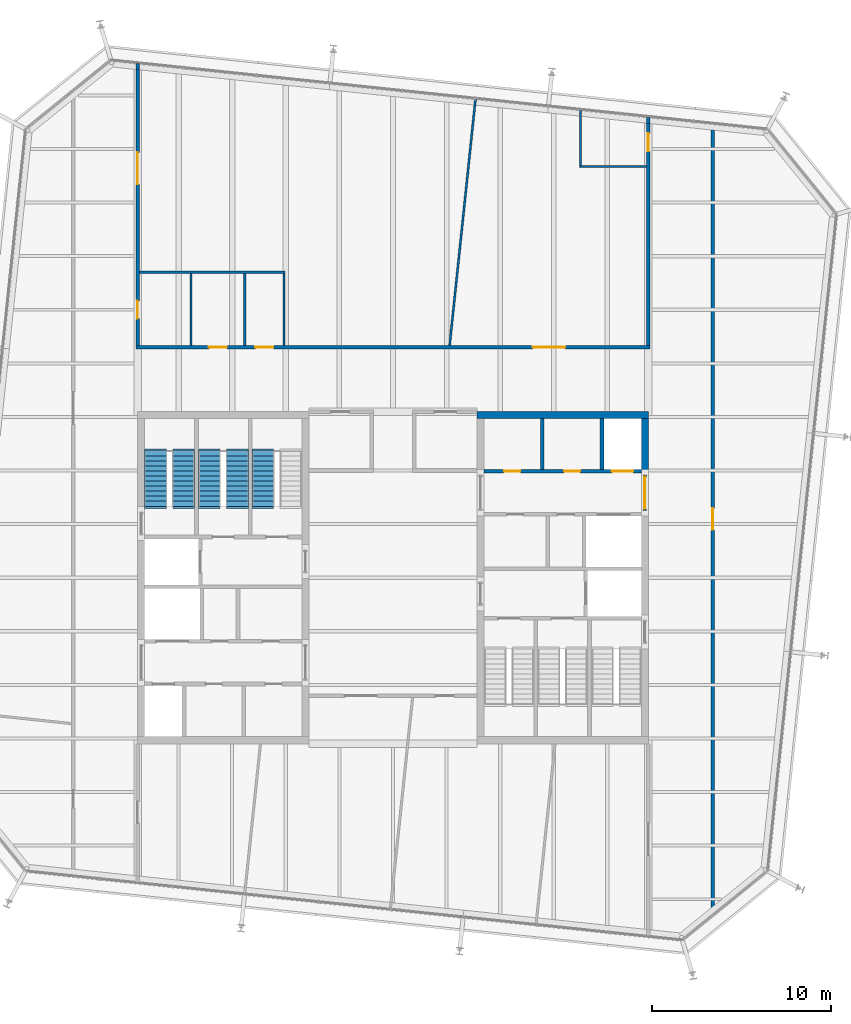
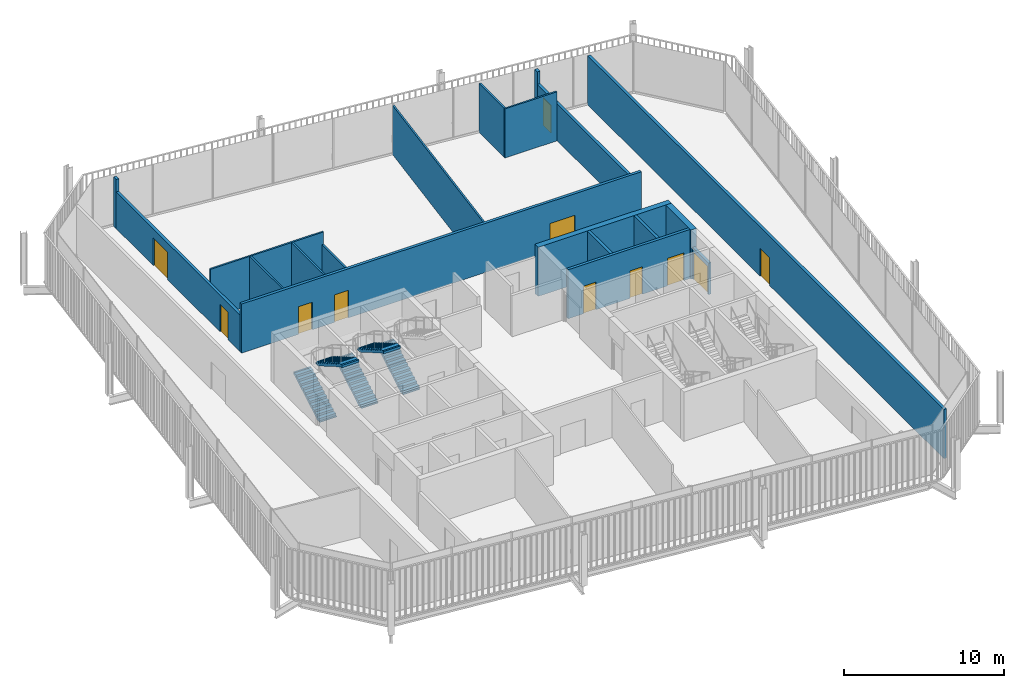
# One storey, part 18 of 20: 19 walls, 11 doors, 5 stair flights, 11 openings, 3 elements without a shape of their own.
"""IFC4 building model written with IfcOpenShell, lengths in metres."""

from ifc_helpers import new_model, si_unit, direction, frame, frame_2d, origin, place, context, subcontext, project, spatial, polyline, rectangle, outline, extrude, material, layer, layer_set, type_object, element, fill, aggregate, save


model = new_model("IFC4")

# Units and contexts
model_context = context("Model", 3, precision=1e-05, world=origin(), true_north=direction((0.0, 1.0)))
body_context = subcontext(model_context, "Body", "Model", "MODEL_VIEW")
ifc_project = project(units=[si_unit("LENGTHUNIT", "METRE"), si_unit("AREAUNIT", "SQUARE_METRE"), si_unit("VOLUMEUNIT", "CUBIC_METRE"), si_unit("PLANEANGLEUNIT", "RADIAN"), si_unit("MASSUNIT", "GRAM", prefix="KILO")], contexts=[model_context])

# Site, building, storey
site_placement = place(None, origin())
site = spatial("IfcSite", under=ifc_project, at=site_placement, CompositionType="ELEMENT")
building_placement = place(site_placement, origin())
building = spatial("IfcBuilding", under=site, at=building_placement, Name="Millrace Tower", CompositionType="ELEMENT")
storey_placement = place(building_placement, frame((0.0, 0.0, 287.699951171875)))
storey = spatial("IfcBuildingStorey", under=building, at=storey_placement, Name="L66", CompositionType="ELEMENT", Elevation=287.699951171875)

# Walls
ifc_material_1 = material(Name="Concrete C60", Category="concrete")
ifc_layer_1 = layer(ifc_material_1, 0.39990234375)
ifc_layer_set_1 = layer_set([ifc_layer_1], Name="Concrete C60")
wall_type_1 = type_object("IfcWallType", Name="Core wall 400 Concrete C60", PredefinedType="SHEAR", material=ifc_layer_set_1)
wall_1_placement = place(storey_placement, frame((14.300048828125, 9.10009765625, 0.0), z_axis=(0.0, 0.0, 1.0), x_axis=(-1.0, 0.0, 0.0)))
element("IfcWall", 1, at=wall_1_placement, inside=storey, type_object=wall_type_1, Name="Core wall E L66", PredefinedType="SHEAR", context=body_context, shape_type="SweptSolid", body=[
    extrude(rectangle(XDim=9.60009765625, YDim=0.39990234375, at=frame_2d((4.800048828125, 0.0))), origin(), (0.0, 0.0, 1.0), 3.739990234375),
])
wall_2_placement = place(storey_placement, frame((14.10009765625, 8.89990234375, 0.0), z_axis=(0.0, 0.0, 1.0), x_axis=(0.0, -1.0, 0.0)))
element("IfcWall", 2, at=wall_2_placement, inside=storey, type_object=wall_type_1, Name="Core wall E L66", PredefinedType="SHEAR", context=body_context, shape_type="SweptSolid", body=[
    extrude(rectangle(XDim=3.14990234375, YDim=0.39990234375, at=frame_2d((1.574951171875, 0.0))), origin(), (0.0, 0.0, 1.0), 3.739990234375),
])

# Wall, openings, doors
ifc_material_2 = material(Name="Masonry partition, fire-rated", Category="masonry")
ifc_layer_2 = layer(ifc_material_2, 0.199951171875)
ifc_layer_set_2 = layer_set([ifc_layer_2], Name="Masonry partition, fire-rated")
wall_type_2 = type_object("IfcWallType", Name="Corridor wall 200", PredefinedType="PARTITIONING", material=ifc_layer_set_2)
wall_3_placement = place(storey_placement, frame((-14.39990234375, 12.89990234375, 0.0), z_axis=(0.0, 0.0, 1.0), x_axis=(1.0, 0.0, 0.0)))
wall_3 = element("IfcWall", 3, at=wall_3_placement, inside=storey, type_object=wall_type_2, Name="Corridor wall L66", PredefinedType="PARTITIONING", context=body_context, shape_type="SweptSolid", body=[
    extrude(rectangle(XDim=28.7998046875, YDim=0.199951171875, at=frame_2d((14.39990234375, 0.0))), origin(), (0.0, 0.0, 1.0), 3.739990234375),
])
opening_1_placement = place(wall_3_placement, frame((22.22998046875, 0.0, 0.0)))
opening_1 = element("IfcOpeningElement", 4, at=opening_1_placement, cuts=wall_3, Name="Opening 66-P006", PredefinedType="OPENING", context=body_context, shape_type="SweptSolid", body=[
    extrude(rectangle(XDim=1.800048828125, YDim=2.10009765625, at=frame_2d((0.89990234375, 1.050048828125))), frame((0.0, 0.10986328125, 0.0), z_axis=(0.0, -1.0, 0.0), x_axis=(1.0, 0.0, 0.0)), (0.0, 0.0, 1.0), 0.219970703125),
])
opening_2_placement = place(wall_3_placement, frame((4.10009765625, 0.0, 0.0)))
opening_2 = element("IfcOpeningElement", 5, at=opening_2_placement, cuts=wall_3, Name="Opening 66-P014", PredefinedType="OPENING", context=body_context, shape_type="SweptSolid", body=[
    extrude(rectangle(XDim=1.0, YDim=2.10009765625, at=frame_2d((0.5, 1.050048828125))), frame((0.0, 0.10986328125, 0.0), z_axis=(0.0, -1.0, 0.0), x_axis=(1.0, 0.0, 0.0)), (0.0, 0.0, 1.0), 0.219970703125),
])
opening_3_placement = place(wall_3_placement, frame((6.699951171875, 0.0, 0.0)))
opening_3 = element("IfcOpeningElement", 6, at=opening_3_placement, cuts=wall_3, Name="Opening 66-P015", PredefinedType="OPENING", context=body_context, shape_type="SweptSolid", body=[
    extrude(rectangle(XDim=1.0, YDim=2.10009765625, at=frame_2d((0.5, 1.050048828125))), frame((0.0, 0.10986328125, 0.0), z_axis=(0.0, -1.0, 0.0), x_axis=(1.0, 0.0, 0.0)), (0.0, 0.0, 1.0), 0.219970703125),
])
ifc_material_3 = material(Name="Steel door set, fire-rated", Category="steel")
door_type_1 = type_object("IfcDoorType", Name="Corridor door 1000 x 2100", OperationType="SINGLE_SWING_LEFT", PredefinedType="DOOR", material=ifc_material_3)
door_1_placement = place(opening_2_placement, origin())
door_1 = element("IfcDoor", 7, at=door_1_placement, inside=storey, type_object=door_type_1, Name="Door 66-P014", OperationType="SINGLE_SWING_LEFT", OverallHeight=2.10009765625, OverallWidth=1.0, PredefinedType="DOOR", context=body_context, shape_type="SweptSolid", body=[
    extrude(rectangle(XDim=1.0, YDim=2.10009765625, at=frame_2d((0.5, 1.050048828125))), frame((0.0, 0.02490234375, 0.0), z_axis=(0.0, -1.0, 0.0), x_axis=(1.0, 0.0, 0.0)), (0.0, 0.0, 1.0), 0.050048828125),
])
fill(opening_2, door_1)
door_2_placement = place(opening_3_placement, origin())
door_2 = element("IfcDoor", 8, at=door_2_placement, inside=storey, type_object=door_type_1, Name="Door 66-P015", OperationType="SINGLE_SWING_LEFT", OverallHeight=2.10009765625, OverallWidth=1.0, PredefinedType="DOOR", context=body_context, shape_type="SweptSolid", body=[
    extrude(rectangle(XDim=1.0, YDim=2.10009765625, at=frame_2d((0.5, 1.050048828125))), frame((0.0, 0.02490234375, 0.0), z_axis=(0.0, -1.0, 0.0), x_axis=(1.0, 0.0, 0.0)), (0.0, 0.0, 1.0), 0.050048828125),
])
fill(opening_3, door_2)
ifc_material_4 = material(Name="Steel door set, fire-rated", Category="steel")
door_type_2 = type_object("IfcDoorType", Name="Corridor door 1800 x 2100", OperationType="DOUBLE_DOOR_SINGLE_SWING", PredefinedType="DOOR", material=ifc_material_4)
door_3_placement = place(opening_1_placement, origin())
door_3 = element("IfcDoor", 9, at=door_3_placement, inside=storey, type_object=door_type_2, Name="Door 66-P006", OperationType="DOUBLE_DOOR_SINGLE_SWING", OverallHeight=2.10009765625, OverallWidth=1.800048828125, PredefinedType="DOOR", context=body_context, shape_type="SweptSolid", body=[
    extrude(rectangle(XDim=1.800048828125, YDim=2.10009765625, at=frame_2d((0.89990234375, 1.050048828125))), frame((0.0, 0.02490234375, 0.0), z_axis=(0.0, -1.0, 0.0), x_axis=(1.0, 0.0, 0.0)), (0.0, 0.0, 1.0), 0.050048828125),
])
fill(opening_1, door_3)

# Wall, opening, door
wall_4_placement = place(storey_placement, frame((17.89990234375, -19.042236328125, 0.0), z_axis=(0.0, 0.0, 1.0), x_axis=(0.0, 1.0, 0.0)))
wall_4 = element("IfcWall", 10, at=wall_4_placement, inside=storey, type_object=wall_type_2, Name="Corridor wall L66", PredefinedType="PARTITIONING", context=body_context, shape_type="SweptSolid", body=[
    extrude(rectangle(XDim=44.437255859375, YDim=0.199951171875, at=frame_2d((22.21875, 0.0))), origin(), (0.0, 0.0, 1.0), 3.739990234375),
])
opening_4_placement = place(wall_4_placement, frame((21.725830078125, 0.0, 0.0)))
opening_4 = element("IfcOpeningElement", 11, at=opening_4_placement, cuts=wall_4, Name="Opening 66-P008", PredefinedType="OPENING", context=body_context, shape_type="SweptSolid", body=[
    extrude(rectangle(XDim=1.199951171875, YDim=2.10009765625, at=frame_2d((0.60009765625, 1.050048828125))), frame((0.0, 0.10986328125, 0.0), z_axis=(0.0, -1.0, 0.0), x_axis=(1.0, 0.0, 0.0)), (0.0, 0.0, 1.0), 0.219970703125),
])
ifc_material_5 = material(Name="Steel door set, fire-rated", Category="steel")
door_type_3 = type_object("IfcDoorType", Name="Corridor door 1200 x 2100", OperationType="SINGLE_SWING_LEFT", PredefinedType="DOOR", material=ifc_material_5)
door_4_placement = place(opening_4_placement, origin())
door_4 = element("IfcDoor", 12, at=door_4_placement, inside=storey, type_object=door_type_3, Name="Door 66-P008", OperationType="SINGLE_SWING_RIGHT", OverallHeight=2.10009765625, OverallWidth=1.199951171875, PredefinedType="DOOR", context=body_context, shape_type="SweptSolid", body=[
    extrude(rectangle(XDim=1.199951171875, YDim=2.10009765625, at=frame_2d((0.60009765625, 1.050048828125))), frame((0.0, 0.02490234375, 0.0), z_axis=(0.0, -1.0, 0.0), x_axis=(1.0, 0.0, 0.0)), (0.0, 0.0, 1.0), 0.050048828125),
])
fill(opening_4, door_4)

wall_5_placement = place(storey_placement, frame((14.300048828125, 13.0, 0.0), z_axis=(0.0, 0.0, 1.0), x_axis=(0.0, 1.0, 0.0)))
wall_5 = element("IfcWall", 13, at=wall_5_placement, inside=storey, type_object=wall_type_2, Name="Corridor wall L66", PredefinedType="PARTITIONING", context=body_context, shape_type="SweptSolid", body=[
    extrude(rectangle(XDim=12.434326171875, YDim=0.199951171875, at=frame_2d((6.21728515625, 0.0))), origin(), (0.0, 0.0, 1.0), 2.792724609375),
])
opening_5_placement = place(wall_5_placement, frame((10.873046875, 0.0, 0.0)))
opening_5 = element("IfcOpeningElement", 14, at=opening_5_placement, cuts=wall_5, Name="Opening 66-P007", PredefinedType="OPENING", context=body_context, shape_type="SweptSolid", body=[
    extrude(rectangle(XDim=1.0, YDim=2.10009765625, at=frame_2d((0.5, 1.050048828125))), frame((0.0, 0.10986328125, 0.0), z_axis=(0.0, -1.0, 0.0), x_axis=(1.0, 0.0, 0.0)), (0.0, 0.0, 1.0), 0.219970703125),
])
door_5_placement = place(opening_5_placement, origin())
door_5 = element("IfcDoor", 15, at=door_5_placement, inside=storey, type_object=door_type_1, Name="Door 66-P007", OperationType="SINGLE_SWING_RIGHT", OverallHeight=2.10009765625, OverallWidth=1.0, PredefinedType="DOOR", context=body_context, shape_type="SweptSolid", body=[
    extrude(rectangle(XDim=1.0, YDim=2.10009765625, at=frame_2d((0.5, 1.050048828125))), frame((0.0, 0.02490234375, 0.0), z_axis=(0.0, -1.0, 0.0), x_axis=(1.0, 0.0, 0.0)), (0.0, 0.0, 1.0), 0.050048828125),
])
fill(opening_5, door_5)

# Wall
wall_6_placement = place(storey_placement, frame((14.300048828125, 25.434326171875, 0.0), z_axis=(0.0, 0.0, 1.0), x_axis=(0.0, 1.0, 0.0)))
element("IfcWall", 16, at=wall_6_placement, inside=storey, type_object=wall_type_2, Name="Corridor wall L66", PredefinedType="PARTITIONING", context=body_context, shape_type="SweptSolid", body=[
    extrude(rectangle(XDim=0.339111328125, YDim=0.199951171875, at=frame_2d((0.16943359375, 0.0))), origin(), (0.0, 0.0, 1.0), 3.739990234375),
])

# Wall, openings, doors
wall_7_placement = place(storey_placement, frame((-14.300048828125, 13.0, 0.0), z_axis=(0.0, 0.0, 1.0), x_axis=(0.0, 1.0, 0.0)))
wall_7 = element("IfcWall", 17, at=wall_7_placement, inside=storey, type_object=wall_type_2, Name="Corridor wall L66", PredefinedType="PARTITIONING", context=body_context, shape_type="SweptSolid", body=[
    extrude(rectangle(XDim=15.440185546875, YDim=0.199951171875, at=frame_2d((7.72021484375, 0.0))), origin(), (0.0, 0.0, 1.0), 2.792724609375),
])
opening_6_placement = place(wall_7_placement, frame((9.014404296875, 0.0, 0.0)))
opening_6 = element("IfcOpeningElement", 18, at=opening_6_placement, cuts=wall_7, Name="Opening 66-P005", PredefinedType="OPENING", context=body_context, shape_type="SweptSolid", body=[
    extrude(rectangle(XDim=1.800048828125, YDim=2.10009765625, at=frame_2d((0.89990234375, 1.050048828125))), frame((0.0, 0.10986328125, 0.0), z_axis=(0.0, -1.0, 0.0), x_axis=(1.0, 0.0, 0.0)), (0.0, 0.0, 1.0), 0.219970703125),
])
opening_7_placement = place(wall_7_placement, frame((1.5, 0.0, 0.0)))
opening_7 = element("IfcOpeningElement", 19, at=opening_7_placement, cuts=wall_7, Name="Opening 66-P013", PredefinedType="OPENING", context=body_context, shape_type="SweptSolid", body=[
    extrude(rectangle(XDim=1.0, YDim=2.10009765625, at=frame_2d((0.5, 1.050048828125))), frame((0.0, 0.10986328125, 0.0), z_axis=(0.0, -1.0, 0.0), x_axis=(1.0, 0.0, 0.0)), (0.0, 0.0, 1.0), 0.219970703125),
])
door_6_placement = place(opening_7_placement, frame((1.0, 0.0, 0.0), z_axis=(0.0, 0.0, 1.0), x_axis=(-1.0, 0.0, 0.0)))
door_6 = element("IfcDoor", 20, at=door_6_placement, inside=storey, type_object=door_type_1, Name="Door 66-P013", OperationType="SINGLE_SWING_RIGHT", OverallHeight=2.10009765625, OverallWidth=1.0, PredefinedType="DOOR", context=body_context, shape_type="SweptSolid", body=[
    extrude(rectangle(XDim=1.0, YDim=2.10009765625, at=frame_2d((0.5, 1.050048828125))), frame((0.0, 0.02490234375, 0.0), z_axis=(0.0, -1.0, 0.0), x_axis=(1.0, 0.0, 0.0)), (0.0, 0.0, 1.0), 0.050048828125),
])
fill(opening_7, door_6)
door_7_placement = place(opening_6_placement, origin())
door_7 = element("IfcDoor", 21, at=door_7_placement, inside=storey, type_object=door_type_2, Name="Door 66-P005", OperationType="DOUBLE_DOOR_SINGLE_SWING", OverallHeight=2.10009765625, OverallWidth=1.800048828125, PredefinedType="DOOR", context=body_context, shape_type="SweptSolid", body=[
    extrude(rectangle(XDim=1.800048828125, YDim=2.10009765625, at=frame_2d((0.89990234375, 1.050048828125))), frame((0.0, 0.02490234375, 0.0), z_axis=(0.0, -1.0, 0.0), x_axis=(1.0, 0.0, 0.0)), (0.0, 0.0, 1.0), 0.050048828125),
])
fill(opening_6, door_7)

# Wall
wall_8_placement = place(storey_placement, frame((-14.300048828125, 28.440185546875, 0.0), z_axis=(0.0, 0.0, 1.0), x_axis=(0.0, 1.0, 0.0)))
element("IfcWall", 22, at=wall_8_placement, inside=storey, type_object=wall_type_2, Name="Corridor wall L66", PredefinedType="PARTITIONING", context=body_context, shape_type="SweptSolid", body=[
    extrude(rectangle(XDim=0.33935546875, YDim=0.199951171875, at=frame_2d((0.169677734375, 0.0))), origin(), (0.0, 0.0, 1.0), 3.739990234375),
])

# Wall, openings, doors
ifc_material_6 = material(Name="Masonry partition, fire-rated", Category="masonry")
ifc_layer_3 = layer(ifc_material_6, 0.199951171875)
ifc_layer_set_3 = layer_set([ifc_layer_3], Name="Masonry partition, fire-rated")
wall_type_3 = type_object("IfcWallType", Name="Lift shaft wall 200", PredefinedType="PARTITIONING", material=ifc_layer_set_3)
wall_9_placement = place(storey_placement, frame((13.89990234375, 5.949951171875, 0.0), z_axis=(0.0, 0.0, 1.0), x_axis=(-1.0, 0.0, 0.0)))
wall_9 = element("IfcWall", 23, at=wall_9_placement, inside=storey, type_object=wall_type_3, Name="Lift shaft wall E L66", PredefinedType="PARTITIONING", context=body_context, shape_type="SweptSolid", body=[
    extrude(rectangle(XDim=8.7998046875, YDim=0.199951171875, at=frame_2d((4.39990234375, 0.0))), origin(), (0.0, 0.0, 1.0), 3.739990234375),
])
opening_8_placement = place(wall_9_placement, frame((0.449951171875, 0.0, 0.0)))
opening_8 = element("IfcOpeningElement", 24, at=opening_8_placement, cuts=wall_9, Name="Opening 66-LD09", PredefinedType="OPENING", context=body_context, shape_type="SweptSolid", body=[
    extrude(rectangle(XDim=1.199951171875, YDim=2.10009765625, at=frame_2d((0.60009765625, 1.050048828125))), frame((0.0, 0.10986328125, 0.0), z_axis=(0.0, -1.0, 0.0), x_axis=(1.0, 0.0, 0.0)), (0.0, 0.0, 1.0), 0.219970703125),
])
opening_9_placement = place(wall_9_placement, frame((3.425048828125, 0.0, 0.0)))
opening_9 = element("IfcOpeningElement", 25, at=opening_9_placement, cuts=wall_9, Name="Opening 66-C015", PredefinedType="OPENING", context=body_context, shape_type="SweptSolid", body=[
    extrude(rectangle(XDim=0.89990234375, YDim=2.10009765625, at=frame_2d((0.449951171875, 1.050048828125))), frame((0.0, 0.10986328125, 0.0), z_axis=(0.0, -1.0, 0.0), x_axis=(1.0, 0.0, 0.0)), (0.0, 0.0, 1.0), 0.219970703125),
])
opening_10_placement = place(wall_9_placement, frame((6.77490234375, 0.0, 0.0)))
opening_10 = element("IfcOpeningElement", 26, at=opening_10_placement, cuts=wall_9, Name="Opening 66-C016", PredefinedType="OPENING", context=body_context, shape_type="SweptSolid", body=[
    extrude(rectangle(XDim=0.89990234375, YDim=2.10009765625, at=frame_2d((0.449951171875, 1.050048828125))), frame((0.0, 0.10986328125, 0.0), z_axis=(0.0, -1.0, 0.0), x_axis=(1.0, 0.0, 0.0)), (0.0, 0.0, 1.0), 0.219970703125),
])
ifc_material_7 = material(Name="Stainless steel, fire-rated", Category="steel")
door_type_4 = type_object("IfcDoorType", Name="Lift landing door 1200 x 2100", OperationType="DOUBLE_DOOR_SLIDING", PredefinedType="DOOR", material=ifc_material_7)
door_8_placement = place(opening_8_placement, origin())
door_8 = element("IfcDoor", 27, at=door_8_placement, inside=storey, type_object=door_type_4, Name="Lift landing door LF9 L66", OperationType="DOUBLE_DOOR_SLIDING", OverallHeight=2.10009765625, OverallWidth=1.199951171875, PredefinedType="DOOR", context=body_context, shape_type="SweptSolid", body=[
    extrude(rectangle(XDim=1.199951171875, YDim=2.10009765625, at=frame_2d((0.60009765625, 1.050048828125))), frame((0.0, 0.02490234375, 0.0), z_axis=(0.0, -1.0, 0.0), x_axis=(1.0, 0.0, 0.0)), (0.0, 0.0, 1.0), 0.050048828125),
])
fill(opening_8, door_8)
ifc_material_8 = material(Name="Steel door, fire-rated", Category="steel")
door_type_5 = type_object("IfcDoorType", Name="Service room door 900 x 2100", OperationType="SINGLE_SWING_LEFT", PredefinedType="DOOR", material=ifc_material_8)
door_9_placement = place(opening_9_placement, frame((0.89990234375, 0.0, 0.0), z_axis=(0.0, 0.0, 1.0), x_axis=(-1.0, 0.0, 0.0)))
door_9 = element("IfcDoor", 28, at=door_9_placement, inside=storey, type_object=door_type_5, Name="Service room door 66-C015", OperationType="SINGLE_SWING_RIGHT", OverallHeight=2.10009765625, OverallWidth=0.89990234375, PredefinedType="DOOR", context=body_context, shape_type="SweptSolid", body=[
    extrude(rectangle(XDim=0.89990234375, YDim=2.10009765625, at=frame_2d((0.449951171875, 1.050048828125))), frame((0.0, 0.02490234375, 0.0), z_axis=(0.0, -1.0, 0.0), x_axis=(1.0, 0.0, 0.0)), (0.0, 0.0, 1.0), 0.050048828125),
])
fill(opening_9, door_9)
door_10_placement = place(opening_10_placement, frame((0.89990234375, 0.0, 0.0), z_axis=(0.0, 0.0, 1.0), x_axis=(-1.0, 0.0, 0.0)))
door_10 = element("IfcDoor", 29, at=door_10_placement, inside=storey, type_object=door_type_5, Name="Service room door 66-C016", OperationType="SINGLE_SWING_LEFT", OverallHeight=2.10009765625, OverallWidth=0.89990234375, PredefinedType="DOOR", context=body_context, shape_type="SweptSolid", body=[
    extrude(rectangle(XDim=0.89990234375, YDim=2.10009765625, at=frame_2d((0.449951171875, 1.050048828125))), frame((0.0, 0.02490234375, 0.0), z_axis=(0.0, -1.0, 0.0), x_axis=(1.0, 0.0, 0.0)), (0.0, 0.0, 1.0), 0.050048828125),
])
fill(opening_10, door_10)

# Wall
wall_10_placement = place(storey_placement, frame((11.699951171875, 8.89990234375, 0.0), z_axis=(0.0, 0.0, 1.0), x_axis=(0.0, -1.0, 0.0)))
element("IfcWall", 30, at=wall_10_placement, inside=storey, type_object=wall_type_3, Name="Lift shaft wall E L66", PredefinedType="PARTITIONING", context=body_context, shape_type="SweptSolid", body=[
    extrude(rectangle(XDim=2.849853515625, YDim=0.199951171875, at=frame_2d((1.4248046875, 0.0))), origin(), (0.0, 0.0, 1.0), 3.739990234375),
])

# Wall, opening, door
ifc_material_9 = material(Name="Masonry partition, fire-rated", Category="masonry")
ifc_layer_4 = layer(ifc_material_9, 0.199951171875)
ifc_layer_set_4 = layer_set([ifc_layer_4], Name="Masonry partition, fire-rated")
wall_type_4 = type_object("IfcWallType", Name="Lobby wall 200", PredefinedType="PARTITIONING", material=ifc_layer_set_4)
wall_11_placement = place(storey_placement, frame((14.10009765625, 5.75, 0.0), z_axis=(0.0, 0.0, 1.0), x_axis=(0.0, -1.0, 0.0)))
wall_11 = element("IfcWall", 31, at=wall_11_placement, inside=storey, type_object=wall_type_4, Name="Lobby wall E L66", PredefinedType="PARTITIONING", context=body_context, shape_type="SweptSolid", body=[
    extrude(rectangle(XDim=2.0, YDim=0.199951171875, at=frame_2d((1.0, 0.0))), origin(), (0.0, 0.0, 1.0), 2.400146484375),
])
opening_11_placement = place(wall_11_placement, frame((0.10009765625, 0.0, 0.0)))
opening_11 = element("IfcOpeningElement", 32, at=opening_11_placement, cuts=wall_11, Name="Opening 66-C011", PredefinedType="OPENING", context=body_context, shape_type="SweptSolid", body=[
    extrude(rectangle(XDim=1.800048828125, YDim=2.10009765625, at=frame_2d((0.89990234375, 1.050048828125))), frame((0.0, 0.10986328125, 0.0), z_axis=(0.0, -1.0, 0.0), x_axis=(1.0, 0.0, 0.0)), (0.0, 0.0, 1.0), 0.219970703125),
])
ifc_material_10 = material(Name="Steel door, fire-rated", Category="steel")
door_type_6 = type_object("IfcDoorType", Name="Lobby door 1800 x 2100", OperationType="DOUBLE_DOOR_SINGLE_SWING", PredefinedType="DOOR", material=ifc_material_10)
door_11_placement = place(opening_11_placement, origin())
door_11 = element("IfcDoor", 33, at=door_11_placement, inside=storey, type_object=door_type_6, Name="Lobby door 66-C011", OperationType="DOUBLE_DOOR_SINGLE_SWING", OverallHeight=2.10009765625, OverallWidth=1.800048828125, PredefinedType="DOOR", context=body_context, shape_type="SweptSolid", body=[
    extrude(rectangle(XDim=1.800048828125, YDim=2.10009765625, at=frame_2d((0.89990234375, 1.050048828125))), frame((0.0, 0.02490234375, 0.0), z_axis=(0.0, -1.0, 0.0), x_axis=(1.0, 0.0, 0.0)), (0.0, 0.0, 1.0), 0.050048828125),
])
fill(opening_11, door_11)

# Walls
ifc_material_11 = material(Name="Gypsum board partition")
ifc_layer_5 = layer(ifc_material_11, 0.1201171875)
ifc_layer_set_5 = layer_set([ifc_layer_5], Name="Gypsum board partition")
wall_type_5 = type_object("IfcWallType", Name="Partition wall 120", PredefinedType="PARTITIONING", material=ifc_layer_set_5)
wall_12_placement = place(storey_placement, frame((-14.199951171875, 17.10009765625, 0.0), z_axis=(0.0, 0.0, 1.0), x_axis=(1.0, 0.0, 0.0)))
element("IfcWall", 34, at=wall_12_placement, inside=storey, type_object=wall_type_5, Name="Partition wall L66", PredefinedType="PARTITIONING", context=body_context, shape_type="SweptSolid", body=[
    extrude(rectangle(XDim=8.159912109375, YDim=0.1201171875, at=frame_2d((4.080078125, 0.0))), origin(), (0.0, 0.0, 1.0), 3.739990234375),
])
wall_13_placement = place(storey_placement, frame((10.43994140625, 23.02294921875, 0.0), z_axis=(0.0, 0.0, 1.0), x_axis=(1.0, 0.0, 0.0)))
element("IfcWall", 35, at=wall_13_placement, inside=storey, type_object=wall_type_5, Name="Partition wall L66", PredefinedType="PARTITIONING", context=body_context, shape_type="SweptSolid", body=[
    extrude(rectangle(XDim=3.760009765625, YDim=0.1201171875, at=frame_2d((1.8798828125, 0.0))), origin(), (0.0, 0.0, 1.0), 3.739990234375),
])
wall_14_placement = place(storey_placement, frame((3.17041015625, 12.99951171875, 0.0), z_axis=(0.0, 0.0, 1.0), x_axis=(0.104559229742, 0.9945186612, 0.0)))
element("IfcWall", 36, at=wall_14_placement, inside=storey, type_object=wall_type_5, Name="Partition wall L66", PredefinedType="PARTITIONING", context=body_context, shape_type="SweptSolid", body=[
    extrude(rectangle(XDim=13.8671875, YDim=0.1201171875, at=frame_2d((6.93359375, 0.0))), origin(), (0.0, 0.0, 1.0), 3.739990234375),
])
wall_15_placement = place(storey_placement, frame((10.5, 23.0830078125, 0.0), z_axis=(0.0, 0.0, 1.0), x_axis=(0.0, 1.0, 0.0)))
element("IfcWall", 37, at=wall_15_placement, inside=storey, type_object=wall_type_5, Name="Partition wall L66", PredefinedType="PARTITIONING", context=body_context, shape_type="SweptSolid", body=[
    extrude(rectangle(XDim=3.08984375, YDim=0.1201171875, at=frame_2d((1.544921875, 0.0))), origin(), (0.0, 0.0, 1.0), 3.739990234375),
])
wall_16_placement = place(storey_placement, frame((-6.10009765625, 13.0, 0.0), z_axis=(0.0, 0.0, 1.0), x_axis=(0.0, 1.0, 0.0)))
element("IfcWall", 38, at=wall_16_placement, inside=storey, type_object=wall_type_5, Name="Partition wall L66", PredefinedType="PARTITIONING", context=body_context, shape_type="SweptSolid", body=[
    extrude(rectangle(XDim=4.0400390625, YDim=0.1201171875, at=frame_2d((2.02001953125, 0.0))), origin(), (0.0, 0.0, 1.0), 2.81298828125),
])
for number, where, z_axis, x_axis, name in (
    (39, (-8.300048828125, 13.0, 0.0), (0.0, 0.0, 1.0), (0.0, 1.0, 0.0), "Partition wall L66"),
    (40, (-11.300048828125, 13.0, 0.0), (0.0, 0.0, 1.0), (0.0, 1.0, 0.0), "Partition wall L66"),
):
    element("IfcWall", number, at=place(storey_placement, frame(where, z_axis=z_axis, x_axis=x_axis)), inside=storey, type_object=wall_type_5, Name=name, PredefinedType="PARTITIONING", context=body_context, shape_type="SweptSolid", body=[
        extrude(rectangle(XDim=4.0400390625, YDim=0.1201171875, at=frame_2d((2.02001953125, 0.0))), origin(), (0.0, 0.0, 1.0), 3.739990234375),
    ])
ifc_material_12 = material(Name="Masonry partition, fire-rated", Category="masonry")
ifc_layer_6 = layer(ifc_material_12, 0.199951171875)
ifc_layer_set_6 = layer_set([ifc_layer_6], Name="Masonry partition, fire-rated")
wall_type_6 = type_object("IfcWallType", Name="Room partition 200", PredefinedType="PARTITIONING", material=ifc_layer_set_6)
wall_17_placement = place(storey_placement, frame((8.35009765625, 8.89990234375, 0.0), z_axis=(0.0, 0.0, 1.0), x_axis=(0.0, -1.0, 0.0)))
element("IfcWall", 41, at=wall_17_placement, inside=storey, type_object=wall_type_6, Name="Room partition E L66", PredefinedType="PARTITIONING", context=body_context, shape_type="SweptSolid", body=[
    extrude(rectangle(XDim=2.849853515625, YDim=0.199951171875, at=frame_2d((1.4248046875, 0.0))), origin(), (0.0, 0.0, 1.0), 3.739990234375),
])

# Stair, stair flights
ifc_material_13 = material(Name="Concrete C35", Category="concrete")
stair_type = type_object("IfcStairType", Name="Exit stair", PredefinedType="HALF_TURN_STAIR", material=ifc_material_13)
placement = place(storey_placement, origin())
stair_1 = element("IfcStair", 42, at=placement, inside=storey, type_object=stair_type, Name="Stair 1 W L66", PredefinedType="HALF_TURN_STAIR")
ifc_material_14 = material(Name="Concrete C35", Category="concrete")
stair_flight_type = type_object("IfcStairFlightType", Name="Exit stair flight", PredefinedType="STRAIGHT", material=ifc_material_14)
stair_flight_1_placement = place(storey_placement, frame((-13.2900390625, 4.0, 0.0), z_axis=(0.0, 0.0, 1.0), x_axis=(0.0, 1.0, 0.0)))
stair_flight_1 = element("IfcStairFlight", 43, at=stair_flight_1_placement, type_object=stair_flight_type, Name="ST12 flight 1", NumberOfRisers=12, NumberOfTreads=11, PredefinedType="STRAIGHT", RiserHeight=0.1625, TreadLength=0.28, context=body_context, shape_type="SweptSolid", body=[
    extrude(outline(polyline([(-0.1201171875, -0.0400390625), (-0.1201171875, 0.0), (0.0, 0.0), (0.0, 0.16259765625), (0.280029296875, 0.16259765625), (0.280029296875, 0.324951171875), (0.56005859375, 0.324951171875), (0.56005859375, 0.487548828125), (0.840087890625, 0.487548828125), (0.840087890625, 0.64990234375), (1.1201171875, 0.64990234375), (1.1201171875, 0.8125), (1.39990234375, 0.8125), (1.39990234375, 0.97509765625), (1.679931640625, 0.97509765625), (1.679931640625, 1.137451171875), (1.9599609375, 1.137451171875), (1.9599609375, 1.300048828125), (2.239990234375, 1.300048828125), (2.239990234375, 1.46240234375), (2.52001953125, 1.46240234375), (2.52001953125, 1.625), (2.800048828125, 1.625), (2.800048828125, 1.78759765625), (3.080078125, 1.78759765625), (3.080078125, 1.8076171875), (3.199951171875, 1.8076171875), (3.199951171875, 1.6142578125), (3.080078125, 1.6142578125), (0.298583984375, 0.0), (0.298583984375, -0.0400390625), (-0.1201171875, -0.0400390625)])), frame((0.0, 0.60986328125, 0.0), z_axis=(0.0, -1.0, 0.0), x_axis=(1.0, 0.0, 0.0)), (0.0, 0.0, 1.0), 1.219970703125),
])
stair_flight_2_placement = place(storey_placement, frame((-11.7099609375, 7.080078125, 1.949951171875), z_axis=(0.0, 0.0, 1.0), x_axis=(0.0, -1.0, 0.0)))
stair_flight_2 = element("IfcStairFlight", 44, at=stair_flight_2_placement, type_object=stair_flight_type, Name="ST12 flight 2", NumberOfRisers=12, NumberOfTreads=11, PredefinedType="STRAIGHT", RiserHeight=0.1625, TreadLength=0.28, context=body_context, shape_type="SweptSolid", body=[
    extrude(outline(polyline([(-0.1201171875, -0.0400390625), (-0.1201171875, 0.0), (0.0, 0.0), (0.0, 0.16259765625), (0.280029296875, 0.16259765625), (0.280029296875, 0.324951171875), (0.56005859375, 0.324951171875), (0.56005859375, 0.487548828125), (0.840087890625, 0.487548828125), (0.840087890625, 0.64990234375), (1.1201171875, 0.64990234375), (1.1201171875, 0.8125), (1.39990234375, 0.8125), (1.39990234375, 0.97509765625), (1.679931640625, 0.97509765625), (1.679931640625, 1.137451171875), (1.9599609375, 1.137451171875), (1.9599609375, 1.300048828125), (2.239990234375, 1.300048828125), (2.239990234375, 1.46240234375), (2.52001953125, 1.46240234375), (2.52001953125, 1.625), (2.800048828125, 1.625), (2.800048828125, 1.78759765625), (3.080078125, 1.78759765625), (3.080078125, 1.8076171875), (3.199951171875, 1.8076171875), (3.199951171875, 1.6142578125), (3.080078125, 1.6142578125), (0.298583984375, 0.0), (0.298583984375, -0.0400390625), (-0.1201171875, -0.0400390625)])), frame((0.0, 0.60986328125, 0.0), z_axis=(0.0, -1.0, 0.0), x_axis=(1.0, 0.0, 0.0)), (0.0, 0.0, 1.0), 1.219970703125),
])
aggregate(stair_1, [stair_flight_1, stair_flight_2])

stair_2 = element("IfcStair", 45, at=placement, inside=storey, type_object=stair_type, Name="Stair 2 W L66", PredefinedType="HALF_TURN_STAIR")
stair_flight_3_placement = place(storey_placement, frame((-10.2900390625, 4.0, 0.0), z_axis=(0.0, 0.0, 1.0), x_axis=(0.0, 1.0, 0.0)))
stair_flight_3 = element("IfcStairFlight", 46, at=stair_flight_3_placement, type_object=stair_flight_type, Name="ST12 flight 1", NumberOfRisers=12, NumberOfTreads=11, PredefinedType="STRAIGHT", RiserHeight=0.1625, TreadLength=0.28, context=body_context, shape_type="SweptSolid", body=[
    extrude(outline(polyline([(-0.1201171875, -0.0400390625), (-0.1201171875, 0.0), (0.0, 0.0), (0.0, 0.16259765625), (0.280029296875, 0.16259765625), (0.280029296875, 0.324951171875), (0.56005859375, 0.324951171875), (0.56005859375, 0.487548828125), (0.840087890625, 0.487548828125), (0.840087890625, 0.64990234375), (1.1201171875, 0.64990234375), (1.1201171875, 0.8125), (1.39990234375, 0.8125), (1.39990234375, 0.97509765625), (1.679931640625, 0.97509765625), (1.679931640625, 1.137451171875), (1.9599609375, 1.137451171875), (1.9599609375, 1.300048828125), (2.239990234375, 1.300048828125), (2.239990234375, 1.46240234375), (2.52001953125, 1.46240234375), (2.52001953125, 1.625), (2.800048828125, 1.625), (2.800048828125, 1.78759765625), (3.080078125, 1.78759765625), (3.080078125, 1.8076171875), (3.199951171875, 1.8076171875), (3.199951171875, 1.6142578125), (3.080078125, 1.6142578125), (0.298583984375, 0.0), (0.298583984375, -0.0400390625), (-0.1201171875, -0.0400390625)])), frame((0.0, 0.60986328125, 0.0), z_axis=(0.0, -1.0, 0.0), x_axis=(1.0, 0.0, 0.0)), (0.0, 0.0, 1.0), 1.219970703125),
])
stair_flight_4_placement = place(storey_placement, frame((-8.7099609375, 7.080078125, 1.949951171875), z_axis=(0.0, 0.0, 1.0), x_axis=(0.0, -1.0, 0.0)))
stair_flight_4 = element("IfcStairFlight", 47, at=stair_flight_4_placement, type_object=stair_flight_type, Name="ST12 flight 2", NumberOfRisers=12, NumberOfTreads=11, PredefinedType="STRAIGHT", RiserHeight=0.1625, TreadLength=0.28, context=body_context, shape_type="SweptSolid", body=[
    extrude(outline(polyline([(-0.1201171875, -0.0400390625), (-0.1201171875, 0.0), (0.0, 0.0), (0.0, 0.16259765625), (0.280029296875, 0.16259765625), (0.280029296875, 0.324951171875), (0.56005859375, 0.324951171875), (0.56005859375, 0.487548828125), (0.840087890625, 0.487548828125), (0.840087890625, 0.64990234375), (1.1201171875, 0.64990234375), (1.1201171875, 0.8125), (1.39990234375, 0.8125), (1.39990234375, 0.97509765625), (1.679931640625, 0.97509765625), (1.679931640625, 1.137451171875), (1.9599609375, 1.137451171875), (1.9599609375, 1.300048828125), (2.239990234375, 1.300048828125), (2.239990234375, 1.46240234375), (2.52001953125, 1.46240234375), (2.52001953125, 1.625), (2.800048828125, 1.625), (2.800048828125, 1.78759765625), (3.080078125, 1.78759765625), (3.080078125, 1.8076171875), (3.199951171875, 1.8076171875), (3.199951171875, 1.6142578125), (3.080078125, 1.6142578125), (0.298583984375, 0.0), (0.298583984375, -0.0400390625), (-0.1201171875, -0.0400390625)])), frame((0.0, 0.60986328125, 0.0), z_axis=(0.0, -1.0, 0.0), x_axis=(1.0, 0.0, 0.0)), (0.0, 0.0, 1.0), 1.219970703125),
])
aggregate(stair_2, [stair_flight_3, stair_flight_4])

# Stair, stair flight
stair_3 = element("IfcStair", 48, at=placement, inside=storey, type_object=stair_type, Name="Stair 3 W L66", PredefinedType="HALF_TURN_STAIR")
stair_flight_5_placement = place(storey_placement, frame((-7.2900390625, 4.0, 0.0), z_axis=(0.0, 0.0, 1.0), x_axis=(0.0, 1.0, 0.0)))
stair_flight_5 = element("IfcStairFlight", 49, at=stair_flight_5_placement, type_object=stair_flight_type, Name="ST12 flight 1", NumberOfRisers=12, NumberOfTreads=11, PredefinedType="STRAIGHT", RiserHeight=0.1625, TreadLength=0.28, context=body_context, shape_type="SweptSolid", body=[
    extrude(outline(polyline([(-0.1201171875, -0.0400390625), (-0.1201171875, 0.0), (0.0, 0.0), (0.0, 0.16259765625), (0.280029296875, 0.16259765625), (0.280029296875, 0.324951171875), (0.56005859375, 0.324951171875), (0.56005859375, 0.487548828125), (0.840087890625, 0.487548828125), (0.840087890625, 0.64990234375), (1.1201171875, 0.64990234375), (1.1201171875, 0.8125), (1.39990234375, 0.8125), (1.39990234375, 0.97509765625), (1.679931640625, 0.97509765625), (1.679931640625, 1.137451171875), (1.9599609375, 1.137451171875), (1.9599609375, 1.300048828125), (2.239990234375, 1.300048828125), (2.239990234375, 1.46240234375), (2.52001953125, 1.46240234375), (2.52001953125, 1.625), (2.800048828125, 1.625), (2.800048828125, 1.78759765625), (3.080078125, 1.78759765625), (3.080078125, 1.8076171875), (3.199951171875, 1.8076171875), (3.199951171875, 1.6142578125), (3.080078125, 1.6142578125), (0.298583984375, 0.0), (0.298583984375, -0.0400390625), (-0.1201171875, -0.0400390625)])), frame((0.0, 0.60986328125, 0.0), z_axis=(0.0, -1.0, 0.0), x_axis=(1.0, 0.0, 0.0)), (0.0, 0.0, 1.0), 1.219970703125),
])
aggregate(stair_3, [stair_flight_5])

save(model, "model.ifc")
